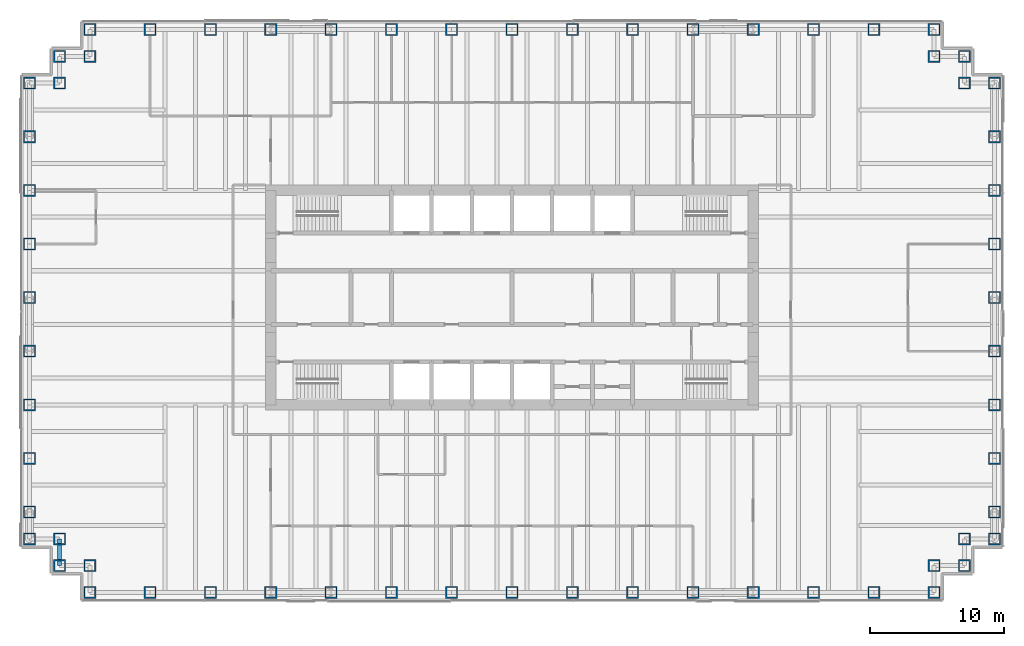
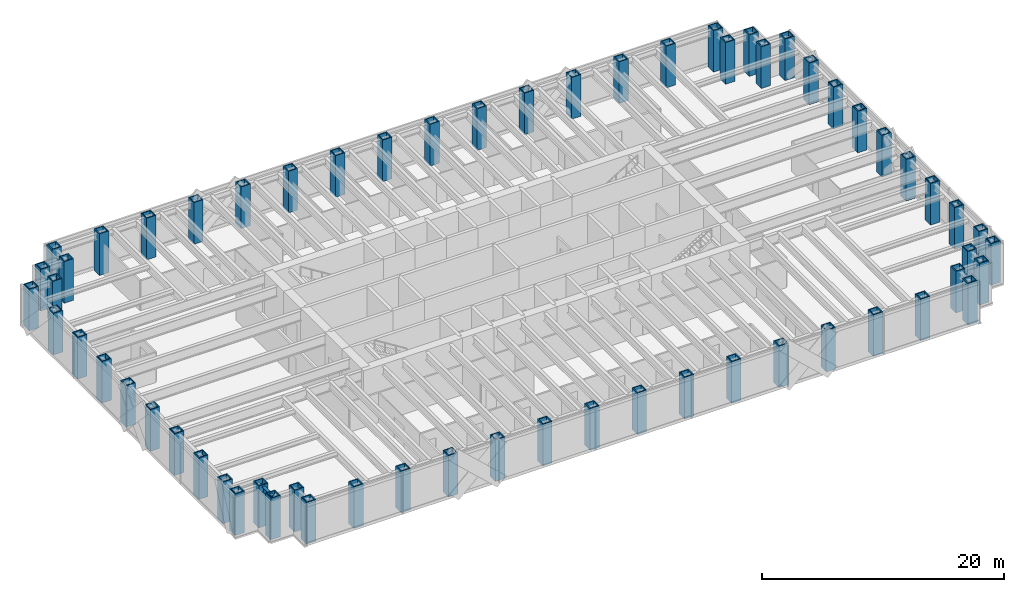
# One storey, part 1 of 14: 62 columns, 1 beam.
"""IFC4 building model written with IfcOpenShell, lengths in metres."""

from ifc_helpers import new_model, si_unit, direction, frame, origin, origin_2d, place, context, subcontext, project, spatial, hollow_rectangle, i_section, extrude, material, material_profile, profile_set, type_object, element, save


model = new_model("IFC4")

# Units and contexts
model_context = context("Model", 3, precision=1e-05, world=origin(), true_north=direction((0.0, 1.0)))
body_context = subcontext(model_context, "Body", "Model", "MODEL_VIEW")
ifc_project = project(units=[si_unit("LENGTHUNIT", "METRE"), si_unit("AREAUNIT", "SQUARE_METRE"), si_unit("VOLUMEUNIT", "CUBIC_METRE"), si_unit("PLANEANGLEUNIT", "RADIAN"), si_unit("MASSUNIT", "GRAM", prefix="KILO")], contexts=[model_context])

# Site, building, storey
site_placement = place(None, origin())
site = spatial("IfcSite", under=ifc_project, at=site_placement, CompositionType="ELEMENT")
building_placement = place(site_placement, origin())
building = spatial("IfcBuilding", under=site, at=building_placement, Name="Rheinbord Bourse Tower", CompositionType="ELEMENT")
storey_placement = place(building_placement, frame((0.0, 0.0, 198.39990234375)))
storey = spatial("IfcBuildingStorey", under=building, at=storey_placement, Name="L44", CompositionType="ELEMENT", Elevation=198.39990234375)

# Columns
ifc_material_1 = material(Name="Steel S460M", Category="steel")
ifc_material_profile_1 = material_profile(ifc_material_1, hollow_rectangle(XDim=0.89990234375, YDim=0.89990234375, WallThickness=0.090087890625, at=origin_2d()), Name="BOX 900x900x90")
ifc_profile_set_1 = profile_set([ifc_material_profile_1], Name="Steel S460M")
column_type = type_object("IfcColumnType", Name="TUBE COLUMN BOX 900x900x90", PredefinedType="COLUMN", material=ifc_profile_set_1)
for number, where, z_axis, x_axis, name in (
    (1, (4.5, 2.0, 0.0), (0.0, 0.0, 1.0), (0.0, 1.0, 0.0), "Column SW-E L44"),
    (2, (9.0, 2.0, 0.0), (0.0, 0.0, 1.0), (0.0, 1.0, 0.0), "Column S-9 L44"),
    (3, (13.5, 2.0, 0.0), (0.0, 0.0, 1.0), (0.0, 1.0, 0.0), "Column S-13.5 L44"),
    (4, (18.0, 2.0, 0.0), (0.0, 0.0, 1.0), (0.0, 1.0, 0.0), "Column S-18 L44"),
    (5, (22.5, 2.0, 0.0), (0.0, 0.0, 1.0), (0.0, 1.0, 0.0), "Column S-22.5 L44"),
    (6, (27.0, 2.0, 0.0), (0.0, 0.0, 1.0), (0.0, 1.0, 0.0), "Column S-27 L44"),
    (7, (31.5, 2.0, 0.0), (0.0, 0.0, 1.0), (0.0, 1.0, 0.0), "Column S-31.5 L44"),
    (8, (36.0, 2.0, 0.0), (0.0, 0.0, 1.0), (0.0, 1.0, 0.0), "Column S-36 L44"),
    (9, (40.5, 2.0, 0.0), (0.0, 0.0, 1.0), (0.0, 1.0, 0.0), "Column S-40.5 L44"),
    (10, (45.0, 2.0, 0.0), (0.0, 0.0, 1.0), (0.0, 1.0, 0.0), "Column S-45 L44"),
    (11, (49.5, 2.0, 0.0), (0.0, 0.0, 1.0), (0.0, 1.0, 0.0), "Column S-49.5 L44"),
    (12, (54.0, 2.0, 0.0), (0.0, 0.0, 1.0), (0.0, 1.0, 0.0), "Column S-54 L44"),
    (13, (58.5, 2.0, 0.0), (0.0, 0.0, 1.0), (0.0, 1.0, 0.0), "Column S-58.5 L44"),
    (14, (63.0, 2.0, 0.0), (0.0, 0.0, 1.0), (0.0, 1.0, 0.0), "Column S-63 L44"),
    (15, (67.5, 2.0, 0.0), (0.0, 0.0, 1.0), (0.0, 1.0, 0.0), "Column SE-E L44"),
    (16, (67.5, 4.0, 0.0), (0.0, 0.0, 1.0), (0.0, 1.0, 0.0), "Column SE-D L44"),
    (17, (69.75, 4.0, 0.0), (0.0, 0.0, 1.0), (1.0, 0.0, 0.0), "Column SE-C L44"),
    (18, (69.75, 6.0, 0.0), (0.0, 0.0, 1.0), (1.0, 0.0, 0.0), "Column SE-B L44"),
    (19, (72.0, 6.0, 0.0), (0.0, 0.0, 1.0), (1.0, 0.0, 0.0), "Column SE-A L44"),
    (20, (72.0, 8.0, 0.0), (0.0, 0.0, 1.0), (1.0, 0.0, 0.0), "Column E-8 L44"),
    (21, (72.0, 12.0, 0.0), (0.0, 0.0, 1.0), (1.0, 0.0, 0.0), "Column E-12 L44"),
    (22, (72.0, 16.0, 0.0), (0.0, 0.0, 1.0), (1.0, 0.0, 0.0), "Column E-16 L44"),
    (23, (72.0, 20.0, 0.0), (0.0, 0.0, 1.0), (1.0, 0.0, 0.0), "Column E-20 L44"),
    (24, (72.0, 24.0, 0.0), (0.0, 0.0, 1.0), (1.0, 0.0, 0.0), "Column E-24 L44"),
    (25, (72.0, 28.0, 0.0), (0.0, 0.0, 1.0), (1.0, 0.0, 0.0), "Column E-28 L44"),
    (26, (72.0, 32.0, 0.0), (0.0, 0.0, 1.0), (1.0, 0.0, 0.0), "Column E-32 L44"),
    (27, (72.0, 36.0, 0.0), (0.0, 0.0, 1.0), (1.0, 0.0, 0.0), "Column E-36 L44"),
    (28, (72.0, 40.0, 0.0), (0.0, 0.0, 1.0), (1.0, 0.0, 0.0), "Column NE-A L44"),
    (29, (69.75, 40.0, 0.0), (0.0, 0.0, 1.0), (1.0, 0.0, 0.0), "Column NE-B L44"),
    (30, (69.75, 42.0, 0.0), (0.0, 0.0, 1.0), (1.0, 0.0, 0.0), "Column NE-C L44"),
    (31, (67.5, 42.0, 0.0), (0.0, 0.0, 1.0), (0.0, 1.0, 0.0), "Column NE-D L44"),
    (32, (67.5, 44.0, 0.0), (0.0, 0.0, 1.0), (0.0, 1.0, 0.0), "Column NE-E L44"),
    (33, (63.0, 44.0, 0.0), (0.0, 0.0, 1.0), (0.0, 1.0, 0.0), "Column N-63 L44"),
    (34, (58.5, 44.0, 0.0), (0.0, 0.0, 1.0), (0.0, 1.0, 0.0), "Column N-58.5 L44"),
    (35, (54.0, 44.0, 0.0), (0.0, 0.0, 1.0), (0.0, 1.0, 0.0), "Column N-54 L44"),
    (36, (49.5, 44.0, 0.0), (0.0, 0.0, 1.0), (0.0, 1.0, 0.0), "Column N-49.5 L44"),
    (37, (45.0, 44.0, 0.0), (0.0, 0.0, 1.0), (0.0, 1.0, 0.0), "Column N-45 L44"),
    (38, (40.5, 44.0, 0.0), (0.0, 0.0, 1.0), (0.0, 1.0, 0.0), "Column N-40.5 L44"),
    (39, (36.0, 44.0, 0.0), (0.0, 0.0, 1.0), (0.0, 1.0, 0.0), "Column N-36 L44"),
    (40, (31.5, 44.0, 0.0), (0.0, 0.0, 1.0), (0.0, 1.0, 0.0), "Column N-31.5 L44"),
    (41, (27.0, 44.0, 0.0), (0.0, 0.0, 1.0), (0.0, 1.0, 0.0), "Column N-27 L44"),
    (42, (22.5, 44.0, 0.0), (0.0, 0.0, 1.0), (0.0, 1.0, 0.0), "Column N-22.5 L44"),
    (43, (18.0, 44.0, 0.0), (0.0, 0.0, 1.0), (0.0, 1.0, 0.0), "Column N-18 L44"),
    (44, (13.5, 44.0, 0.0), (0.0, 0.0, 1.0), (0.0, 1.0, 0.0), "Column N-13.5 L44"),
    (45, (9.0, 44.0, 0.0), (0.0, 0.0, 1.0), (0.0, 1.0, 0.0), "Column N-9 L44"),
    (46, (4.5, 44.0, 0.0), (0.0, 0.0, 1.0), (0.0, 1.0, 0.0), "Column NW-E L44"),
    (47, (4.5, 42.0, 0.0), (0.0, 0.0, 1.0), (0.0, 1.0, 0.0), "Column NW-D L44"),
    (48, (2.25, 42.0, 0.0), (0.0, 0.0, 1.0), (1.0, 0.0, 0.0), "Column NW-C L44"),
    (49, (2.25, 40.0, 0.0), (0.0, 0.0, 1.0), (1.0, 0.0, 0.0), "Column NW-B L44"),
    (50, (0.0, 40.0, 0.0), (0.0, 0.0, 1.0), (1.0, 0.0, 0.0), "Column NW-A L44"),
    (51, (0.0, 36.0, 0.0), (0.0, 0.0, 1.0), (1.0, 0.0, 0.0), "Column W-36 L44"),
    (52, (0.0, 32.0, 0.0), (0.0, 0.0, 1.0), (1.0, 0.0, 0.0), "Column W-32 L44"),
    (53, (0.0, 28.0, 0.0), (0.0, 0.0, 1.0), (1.0, 0.0, 0.0), "Column W-28 L44"),
    (54, (0.0, 24.0, 0.0), (0.0, 0.0, 1.0), (1.0, 0.0, 0.0), "Column W-24 L44"),
    (55, (0.0, 20.0, 0.0), (0.0, 0.0, 1.0), (1.0, 0.0, 0.0), "Column W-20 L44"),
    (56, (0.0, 16.0, 0.0), (0.0, 0.0, 1.0), (1.0, 0.0, 0.0), "Column W-16 L44"),
    (57, (0.0, 12.0, 0.0), (0.0, 0.0, 1.0), (1.0, 0.0, 0.0), "Column W-12 L44"),
    (58, (0.0, 8.0, 0.0), (0.0, 0.0, 1.0), (1.0, 0.0, 0.0), "Column W-8 L44"),
    (59, (0.0, 6.0, 0.0), (0.0, 0.0, 1.0), (1.0, 0.0, 0.0), "Column SW-A L44"),
    (60, (2.25, 6.0, 0.0), (0.0, 0.0, 1.0), (1.0, 0.0, 0.0), "Column SW-B L44"),
    (61, (2.25, 4.0, 0.0), (0.0, 0.0, 1.0), (1.0, 0.0, 0.0), "Column SW-C L44"),
    (62, (4.5, 4.0, 0.0), (0.0, 0.0, 1.0), (0.0, 1.0, 0.0), "Column SW-D L44"),
):
    element("IfcColumn", number, at=place(storey_placement, frame(where, z_axis=z_axis, x_axis=x_axis)), inside=storey, type_object=column_type, Name=name, PredefinedType="COLUMN", context=body_context, shape_type="SweptSolid", body=[
        extrude(hollow_rectangle(XDim=0.89990234375, YDim=0.89990234375, WallThickness=0.090087890625, at=origin_2d()), origin(), (0.0, 0.0, 1.0), 4.2001953125),
    ])

# Beam
ifc_material_2 = material(Name="Steel S460", Category="steel")
ifc_material_profile_2 = material_profile(ifc_material_2, i_section(OverallWidth=0.300048828125, OverallDepth=0.60009765625, WebThickness=0.015380859375, FlangeThickness=0.030029296875, at=origin_2d()), Name="HEB 600")
ifc_profile_set_2 = profile_set([ifc_material_profile_2], Name="Steel S460")
beam_type = type_object("IfcBeamType", Name="SPANDREL HEB 600", PredefinedType="SPANDREL", material=ifc_profile_set_2)
beam_placement = place(storey_placement, frame((2.25, 6.0, 3.739990234375), z_axis=(0.0, -1.0, 0.0), x_axis=(1.0, 0.0, 0.0)))
element("IfcBeam", 63, at=beam_placement, inside=storey, type_object=beam_type, Name="Spandrel SW-B-SW-C under L45", PredefinedType="SPANDREL", context=body_context, shape_type="SweptSolid", body=[
    extrude(i_section(OverallWidth=0.300048828125, OverallDepth=0.60009765625, WebThickness=0.015380859375, FlangeThickness=0.030029296875, at=origin_2d()), origin(), (0.0, 0.0, 1.0), 2.0),
])

save(model, "model.ifc")
